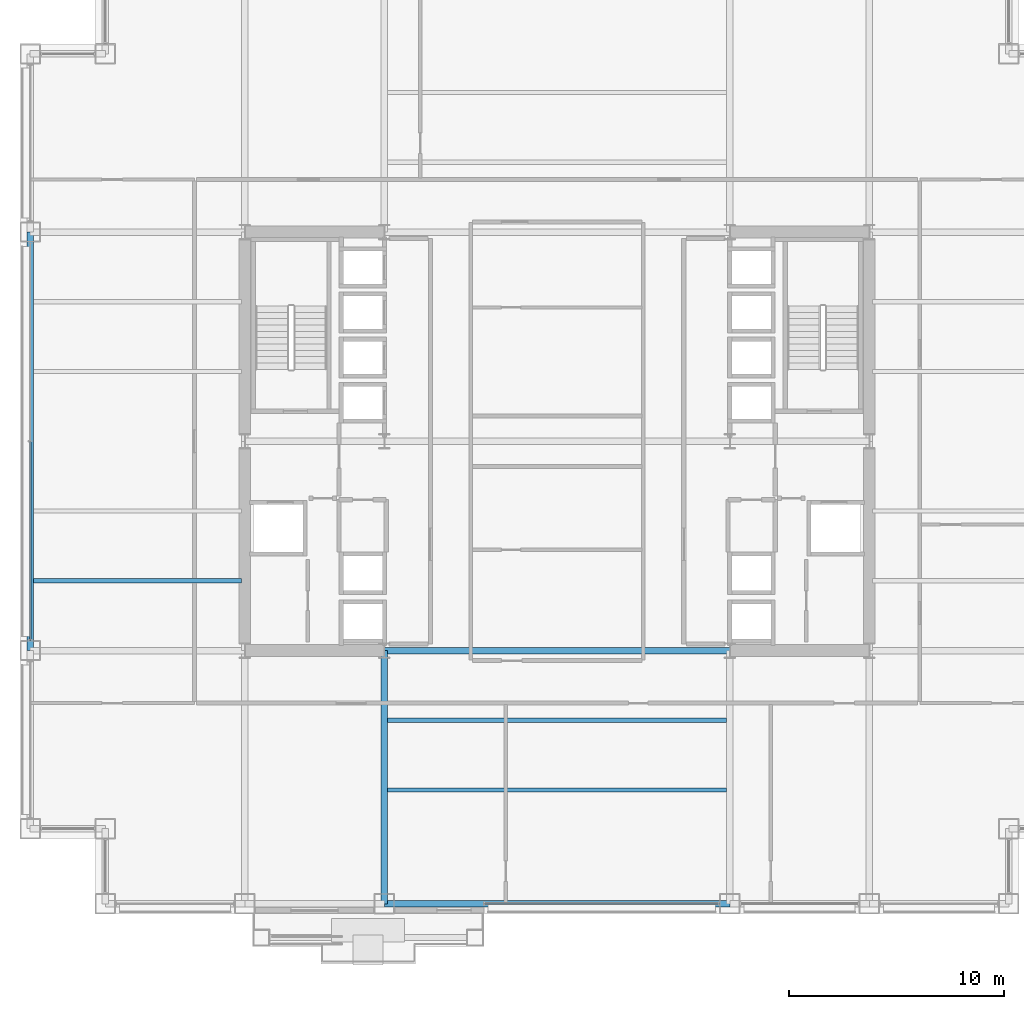
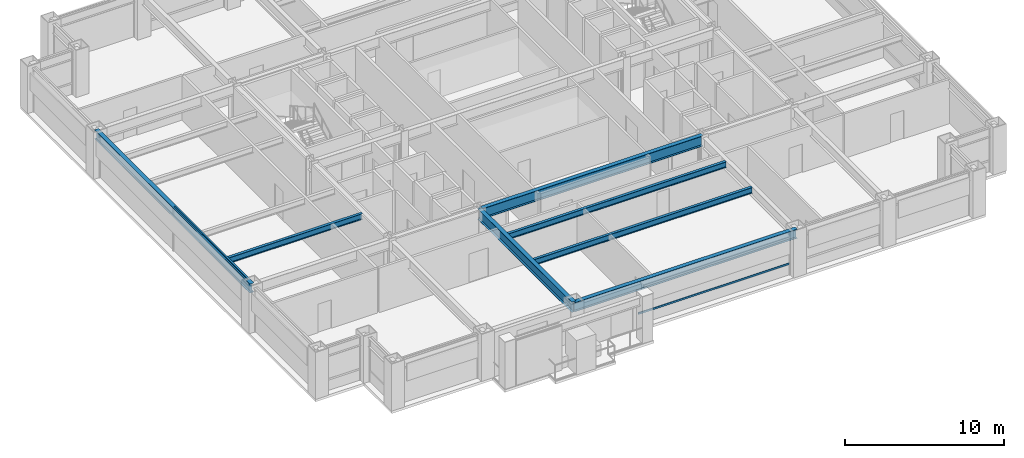
# One storey, part 7 of 31: 7 beams, 2 members, 2 elements without a shape of their own.
"""IFC4 building model written with IfcOpenShell, lengths in metres."""

import ifcopenshell
import ifcopenshell.guid

model = None  # the IFC model being written
_history = None  # IfcOwnerHistory: only IFC2X3 demands one
_inside = {}  # id of a spatial element -> (the spatial element, [elements in it])
_under = {}  # id of a project, library or spatial element -> (it, [spatial elements below it])
_declared = {}  # id of a project -> (the project, [libraries it declares])
_typed = {}  # id of a type object -> (the type object, [elements of that type])
_made_of = {}  # id of a material, layer set ... -> (it, [elements and type objects made of it])


def new_model(schema):
    """Start an empty IFC model of exactly this schema.

    Asked for "IFC4X3", IfcOpenShell would pick the latest addendum, in which some entities
    have other attributes; the version numbers below select the first issue.
    IFC2X3 requires an IfcOwnerHistory on every rooted entity: one is made here for all.
    """
    global model, _history
    if schema == "IFC4X3":
        model = ifcopenshell.file(schema_version=(4, 3, 0, 0))
    else:
        model = ifcopenshell.file(schema=schema)
    _inside.clear()
    _under.clear()
    _declared.clear()
    _typed.clear()
    _made_of.clear()
    _history = None
    if model.schema == "IFC2X3":
        org = make("IfcOrganization", Name="unknown")
        user = make(
            "IfcPersonAndOrganization",
            ThePerson=make("IfcPerson", FamilyName="unknown"),
            TheOrganization=org,
        )
        app = make(
            "IfcApplication",
            ApplicationDeveloper=org,
            Version="unknown",
            ApplicationFullName="unknown",
            ApplicationIdentifier="unknown",
        )
        _history = make(
            "IfcOwnerHistory",
            OwningUser=user,
            OwningApplication=app,
            ChangeAction="ADDED",
            CreationDate=0,
        )
    return model


def make(cls, **values):
    """One entity of the class cls with the attributes given. An attribute that is None is left unset."""
    return model.create_entity(
        cls, **{name: value for name, value in values.items() if value is not None}
    )


def rooted(cls, **values):
    """An entity with a GlobalId (a new one), such as an element, a storey or a relation."""
    return make(cls, GlobalId=ifcopenshell.guid.new(), OwnerHistory=_history, **values)


def si_unit(unit_type, name, prefix=None):
    """IfcSIUnit, for example si_unit("LENGTHUNIT", "METRE", prefix="MILLI")."""
    return make("IfcSIUnit", UnitType=unit_type, Prefix=prefix, Name=name)


def assignment(units):
    """IfcUnitAssignment: the units of a project."""
    return None if units is None else make("IfcUnitAssignment", Units=units)


def point(xyz):
    """IfcCartesianPoint."""
    return None if xyz is None else make("IfcCartesianPoint", Coordinates=xyz)


def direction(xyz):
    """IfcDirection."""
    return None if xyz is None else make("IfcDirection", DirectionRatios=xyz)


def frame(location, z_axis=None, x_axis=None):
    """IfcAxis2Placement3D, a coordinate frame: its origin and axes. An axis left out is left unset."""
    return make(
        "IfcAxis2Placement3D",
        Location=point(location),
        Axis=direction(z_axis),
        RefDirection=direction(x_axis),
    )


def frame_2d(location, x_axis=None):
    """IfcAxis2Placement2D, a coordinate frame in the plane: its origin and x axis."""
    return make(
        "IfcAxis2Placement2D", Location=point(location), RefDirection=direction(x_axis)
    )


def origin():
    """The frame at (0, 0, 0) with its axes left unset."""
    return frame((0.0, 0.0, 0.0))


def origin_2d():
    """The frame at (0, 0) in the plane with its x axis left unset."""
    return frame_2d((0.0, 0.0))


def place(relative_to, where):
    """IfcLocalPlacement: puts the frame where relative to a parent placement (None: the world)."""
    return make(
        "IfcLocalPlacement", PlacementRelTo=relative_to, RelativePlacement=where
    )


def context(
    kind, dimensions, precision=None, world=None, true_north=None, identifier=None
):
    """IfcGeometricRepresentationContext, for example the 3D "Model" context."""
    return make(
        "IfcGeometricRepresentationContext",
        ContextIdentifier=identifier,
        ContextType=kind,
        CoordinateSpaceDimension=dimensions,
        Precision=precision,
        WorldCoordinateSystem=world,
        TrueNorth=true_north,
    )


def subcontext(parent, identifier, kind, view, scale=None):
    """IfcGeometricRepresentationSubContext, for example "Body" below "Model"."""
    return make(
        "IfcGeometricRepresentationSubContext",
        ContextIdentifier=identifier,
        ContextType=kind,
        ParentContext=parent,
        TargetScale=scale,
        TargetView=view,
    )


def project(units=None, contexts=None):
    """IfcProject with its units and contexts."""
    return rooted(
        "IfcProject",
        Name="project",
        RepresentationContexts=contexts,
        UnitsInContext=assignment(units),
    )


def spatial(cls, under=None, at=None, **own):
    """A site, building, storey or space (cls), placed at a placement, below another one or the project."""
    s = rooted(cls, ObjectPlacement=at, **own)
    if under is not None:
        _under.setdefault(under.id(), (under, []))[1].append(s)
    return s


def profile(cls, at=None, kind="AREA", **sizes):
    """A parametric profile (cls). Its sizes go by their IFC names, for example OverallWidth=200.0."""
    return make(cls, ProfileType=kind, Position=at, **sizes)


def hollow_rectangle(**sizes):
    """IfcRectangleHollowProfileDef."""
    return profile("IfcRectangleHollowProfileDef", **sizes)


def i_section(**sizes):
    """IfcIShapeProfileDef."""
    return profile("IfcIShapeProfileDef", **sizes)


def extrude(swept, where, along, depth):
    """IfcExtrudedAreaSolid: the profile swept, set in the frame where, extruded along a direction by depth."""
    return make(
        "IfcExtrudedAreaSolid",
        SweptArea=swept,
        Position=where,
        ExtrudedDirection=direction(along),
        Depth=depth,
    )


def shape(context_of_items, identifier, shape_type, items):
    """IfcShapeRepresentation: the items that make up one representation, for example the "Body"."""
    return make(
        "IfcShapeRepresentation",
        ContextOfItems=context_of_items,
        RepresentationIdentifier=identifier,
        RepresentationType=shape_type,
        Items=items,
    )


def material(Name=None, Category=None):
    """IfcMaterial."""
    return make("IfcMaterial", Name=Name, Category=Category)


def layer(
    of_material, thickness, ventilated=None, Name=None, Category=None, Priority=None
):
    """IfcMaterialLayer: one layer of a wall or slab, of a material (None: an air gap)."""
    return make(
        "IfcMaterialLayer",
        Material=of_material,
        LayerThickness=thickness,
        IsVentilated=ventilated,
        Name=Name,
        Category=Category,
        Priority=Priority,
    )


def layer_set(layers, Name=None):
    """IfcMaterialLayerSet."""
    return make("IfcMaterialLayerSet", MaterialLayers=layers, LayerSetName=Name)


def material_profile(
    of_material, cross_section, Name=None, Category=None, Priority=None
):
    """IfcMaterialProfile: a cross section and its material."""
    return make(
        "IfcMaterialProfile",
        Name=Name,
        Material=of_material,
        Profile=cross_section,
        Priority=Priority,
        Category=Category,
    )


def profile_set(profiles, Name=None, composite=None):
    """IfcMaterialProfileSet."""
    return make(
        "IfcMaterialProfileSet",
        Name=Name,
        MaterialProfiles=profiles,
        CompositeProfile=composite,
    )


def made_of(thing, what):
    """Note that an element or type object is made of a material, layer set ...; save() writes the relation."""
    if what is not None:
        _made_of.setdefault(what.id(), (what, []))[1].append(thing)
    return thing


def type_object(cls, material=None, **own):
    """A type object (cls), such as IfcWallType, which elements share."""
    return made_of(rooted(cls, **own), material)


def element(
    cls,
    number,
    at=None,
    inside=None,
    cuts=None,
    type_object=None,
    material=None,
    context=None,
    identifier="Body",
    shape_type=None,
    held_by="IfcProductDefinitionShape",
    body=None,
    shapes=None,
    **own,
):
    """One element of the class cls, such as IfcWall. Its Tag is "e" and its number.

    at: its placement. inside: the storey or other place that contains it. cuts: it is an
    opening in that element (IfcRelVoidsElement). A single representation is given by context,
    identifier, shape_type and body (its items); several are given by shapes. held_by: the class
    of the entity that holds the representations. save() writes the other relations.
    """
    e = rooted(cls, Tag="e%d" % number, ObjectPlacement=at, **own)
    if body is not None:
        shapes = [shape(context, identifier, shape_type, body)]
    if shapes is not None:
        e.Representation = make(held_by, Representations=shapes)
    if inside is not None:
        _inside.setdefault(inside.id(), (inside, []))[1].append(e)
    if cuts is not None:
        rooted(
            "IfcRelVoidsElement", RelatingBuildingElement=cuts, RelatedOpeningElement=e
        )
    if type_object is not None:
        _typed.setdefault(type_object.id(), (type_object, []))[1].append(e)
    return made_of(e, material)


def aggregate(whole, parts):
    """IfcRelAggregates: a whole, such as a stair, and the parts it consists of."""
    return rooted("IfcRelAggregates", RelatingObject=whole, RelatedObjects=parts)


def save(model, path):
    """Write the relations noted so far, then the file.

    IfcRelAggregates (storeys below a building ...), IfcRelContainedInSpatialStructure (elements
    in a storey), IfcRelDefinesByType, IfcRelAssociatesMaterial and IfcRelDeclares: one each for
    every whole, place, type object, material and project.
    """
    for whole, parts in _under.values():
        aggregate(whole, parts)
    for where, things in _inside.values():
        rooted(
            "IfcRelContainedInSpatialStructure",
            RelatedElements=things,
            RelatingStructure=where,
        )
    for kind, things in _typed.values():
        rooted("IfcRelDefinesByType", RelatedObjects=things, RelatingType=kind)
    for what, things in _made_of.values():
        rooted("IfcRelAssociatesMaterial", RelatedObjects=things, RelatingMaterial=what)
    for by, libraries in _declared.values():
        rooted("IfcRelDeclares", RelatingContext=by, RelatedDefinitions=libraries)
    model.write(path)


model = new_model("IFC4")

# Units and contexts
model_context = context("Model", 3, precision=1e-05, world=origin(), true_north=direction((0.0, 1.0)))
body_context = subcontext(model_context, "Body", "Model", "MODEL_VIEW")
ifc_project = project(units=[si_unit("LENGTHUNIT", "METRE"), si_unit("AREAUNIT", "SQUARE_METRE"), si_unit("VOLUMEUNIT", "CUBIC_METRE"), si_unit("PLANEANGLEUNIT", "RADIAN"), si_unit("MASSUNIT", "GRAM", prefix="KILO")], contexts=[model_context])

# Site, building, storey
site_placement = place(None, origin())
site = spatial("IfcSite", under=ifc_project, at=site_placement, CompositionType="ELEMENT")
building_placement = place(site_placement, origin())
building = spatial("IfcBuilding", under=site, at=building_placement, Name="Brelmoor Portico Tower", CompositionType="ELEMENT")
storey_placement = place(building_placement, frame((0.0, 0.0, 27.60009765625)))
storey = spatial("IfcBuildingStorey", under=building, at=storey_placement, Name="L06", CompositionType="ELEMENT", Elevation=27.60009765625)

# Beams
ifc_material_1 = material(Name="Steel Q355B", Category="steel")
ifc_material_profile_1 = material_profile(ifc_material_1, i_section(OverallWidth=0.199951171875, OverallDepth=0.449951171875, WebThickness=0.009033203125, FlangeThickness=0.013916015625, at=origin_2d()), Name="HN 450x200x9x14")
ifc_profile_set_1 = profile_set([ifc_material_profile_1], Name="Steel Q355B")
beam_type_1 = type_object("IfcBeamType", Name="BM-JS-450", PredefinedType="JOIST", material=ifc_profile_set_1)
for number, where, z_axis, x_axis, name in (
    (1, (-7.89990234375, -16.25, 3.1748046875), (1.0, 0.0, 0.0), (0.0, 1.0, 0.0), "L06 Secondary Composite Joist JS-C01"),
    (2, (-7.89990234375, -13.0, 3.1748046875), (1.0, 0.0, 0.0), (0.0, 1.0, 0.0), "L06 Secondary Composite Joist JS-C02"),
):
    element("IfcBeam", number, at=place(storey_placement, frame(where, z_axis=z_axis, x_axis=x_axis)), inside=storey, type_object=beam_type_1, Name=name, PredefinedType="JOIST", context=body_context, shape_type="SweptSolid", body=[
        extrude(i_section(OverallWidth=0.199951171875, OverallDepth=0.449951171875, WebThickness=0.009033203125, FlangeThickness=0.013916015625, at=origin_2d()), origin(), (0.0, 0.0, 1.0), 15.7998046875),
    ])
beam_1_placement = place(storey_placement, frame((-24.39990234375, -6.5, 3.1748046875), z_axis=(1.0, 0.0, 0.0), x_axis=(0.0, 1.0, 0.0)))
element("IfcBeam", 3, at=beam_1_placement, inside=storey, type_object=beam_type_1, Name="L06 Secondary Wing Joist JS-W05", PredefinedType="JOIST", context=body_context, shape_type="SweptSolid", body=[
    extrude(i_section(OverallWidth=0.199951171875, OverallDepth=0.449951171875, WebThickness=0.009033203125, FlangeThickness=0.013916015625, at=origin_2d()), origin(), (0.0, 0.0, 1.0), 9.699951171875),
])
ifc_material_profile_2 = material_profile(ifc_material_1, i_section(OverallWidth=0.300048828125, OverallDepth=0.800048828125, WebThickness=0.013916015625, FlangeThickness=0.02587890625, at=origin_2d()), Name="HN 800x300x14x26")
ifc_profile_set_2 = profile_set([ifc_material_profile_2], Name="Steel Q355B")
beam_type_2 = type_object("IfcBeamType", Name="BM-PG-800", PredefinedType="BEAM", material=ifc_profile_set_2)
beam_2_placement = place(storey_placement, frame((-8.050048828125, -21.550048828125, 3.0), z_axis=(0.0, 1.0, 0.0), x_axis=(-1.0, 0.0, 0.0)))
element("IfcBeam", 4, at=beam_2_placement, inside=storey, type_object=beam_type_2, Name="L06 Primary Floor Girder PG-07", PredefinedType="BEAM", context=body_context, shape_type="SweptSolid", body=[
    extrude(i_section(OverallWidth=0.300048828125, OverallDepth=0.800048828125, WebThickness=0.013916015625, FlangeThickness=0.02587890625, at=origin_2d()), origin(), (0.0, 0.0, 1.0), 11.800048828125),
])
beam_3_placement = place(storey_placement, frame((-8.050048828125, -9.75, 3.0), z_axis=(1.0, 0.0, 0.0), x_axis=(0.0, 1.0, 0.0)))
element("IfcBeam", 5, at=beam_3_placement, inside=storey, type_object=beam_type_2, Name="L06 Primary Floor Girder PG-21", PredefinedType="BEAM", context=body_context, shape_type="SweptSolid", body=[
    extrude(i_section(OverallWidth=0.300048828125, OverallDepth=0.800048828125, WebThickness=0.013916015625, FlangeThickness=0.02587890625, at=origin_2d()), origin(), (0.0, 0.0, 1.0), 16.10009765625),
])
ifc_material_profile_3 = material_profile(ifc_material_1, i_section(OverallWidth=0.300048828125, OverallDepth=0.699951171875, WebThickness=0.012939453125, FlangeThickness=0.02392578125, at=origin_2d()), Name="HN 700x300x13x24")
ifc_profile_set_3 = profile_set([ifc_material_profile_3], Name="Steel Q355B")
beam_type_3 = type_object("IfcBeamType", Name="BM-SP-700", PredefinedType="SPANDREL", material=ifc_profile_set_3)
beam_4_placement = place(storey_placement, frame((-8.050048828125, -21.550048828125, 3.0498046875), z_axis=(1.0, 0.0, 0.0), x_axis=(0.0, 1.0, 0.0)))
element("IfcBeam", 6, at=beam_4_placement, inside=storey, type_object=beam_type_3, Name="L06 Perimeter Spandrel Beam SP-03", PredefinedType="SPANDREL", context=body_context, shape_type="SweptSolid", body=[
    extrude(i_section(OverallWidth=0.300048828125, OverallDepth=0.699951171875, WebThickness=0.012939453125, FlangeThickness=0.02392578125, at=origin_2d()), origin(), (0.0, 0.0, 1.0), 16.10009765625),
])
beam_5_placement = place(storey_placement, frame((-24.550048828125, -9.75, 3.0498046875), z_axis=(0.0, 1.0, 0.0), x_axis=(-1.0, 0.0, 0.0)))
element("IfcBeam", 7, at=beam_5_placement, inside=storey, type_object=beam_type_3, Name="L06 Perimeter Spandrel Beam SP-16", PredefinedType="SPANDREL", context=body_context, shape_type="SweptSolid", body=[
    extrude(i_section(OverallWidth=0.300048828125, OverallDepth=0.699951171875, WebThickness=0.012939453125, FlangeThickness=0.02392578125, at=origin_2d()), origin(), (0.0, 0.0, 1.0), 19.5),
])

# Curtain wall, member
ifc_material_2 = material(Name="Anodised Aluminium Alloy 6063-T6", Category="aluminium")
ifc_layer_1 = layer(ifc_material_2, 0.179931640625)
ifc_layer_set_1 = layer_set([ifc_layer_1], Name="Anodised Aluminium Alloy 6063-T6")
curtain_wall_type_1 = type_object("IfcCurtainWallType", Name="CW-TOWER-Z1", PredefinedType="NOTDEFINED", material=ifc_layer_set_1)
curtain_wall_1_placement = place(storey_placement, origin())
curtain_wall_1 = element("IfcCurtainWall", 8, at=curtain_wall_1_placement, inside=storey, type_object=curtain_wall_type_1, Name="L06 Curtain Wall CW-L06-1R-1", PredefinedType="NOTDEFINED")
ifc_material_profile_4 = material_profile(ifc_material_2, hollow_rectangle(XDim=0.06494140625, YDim=0.139892578125, WallThickness=0.00390625, at=origin_2d()), Name="ALU TRANSOM 65x140")
ifc_profile_set_4 = profile_set([ifc_material_profile_4], Name="Anodised Aluminium Alloy 6063-T6")
member_type = type_object("IfcMemberType", Name="MB-CW-TRAN-140", PredefinedType="USERDEFINED", material=ifc_profile_set_4)
member_1_placement = place(storey_placement, frame((-3.39990234375, -21.550048828125, 0.849853515625), z_axis=(1.0, 0.0, 0.0), x_axis=(0.0, 1.0, 0.0)))
member_1 = element("IfcMember", 9, at=member_1_placement, type_object=member_type, Name="CW-L06-1R-1 Transom 1-00", ObjectType="TRANSOM", PredefinedType="USERDEFINED", context=body_context, shape_type="SweptSolid", body=[
    extrude(hollow_rectangle(XDim=0.06494140625, YDim=0.139892578125, WallThickness=0.00390625, at=origin_2d()), origin(), (0.0, 0.0, 1.0), 10.96484375),
])
aggregate(curtain_wall_1, [member_1])

ifc_layer_2 = layer(ifc_material_2, 0.179931640625)
ifc_layer_set_2 = layer_set([ifc_layer_2], Name="Anodised Aluminium Alloy 6063-T6")
curtain_wall_type_2 = type_object("IfcCurtainWallType", Name="CW-TOWER-Z1-XB", PredefinedType="NOTDEFINED", material=ifc_layer_set_2)
curtain_wall_2_placement = place(storey_placement, origin())
curtain_wall_2 = element("IfcCurtainWall", 10, at=curtain_wall_2_placement, inside=storey, type_object=curtain_wall_type_2, Name="L06 Curtain Wall CW-L06-03-2", PredefinedType="NOTDEFINED")
member_2_placement = place(storey_placement, frame((-24.550048828125, -9.264892578125, 3.329833984375), z_axis=(0.0, 1.0, 0.0), x_axis=(-1.0, 0.0, 0.0)))
member_2 = element("IfcMember", 11, at=member_2_placement, type_object=member_type, Name="CW-L06-03-2 Transom 1-00", ObjectType="TRANSOM", PredefinedType="USERDEFINED", context=body_context, shape_type="SweptSolid", body=[
    extrude(hollow_rectangle(XDim=0.06494140625, YDim=0.139892578125, WallThickness=0.00390625, at=origin_2d()), origin(), (0.0, 0.0, 1.0), 9.264892578125),
])
aggregate(curtain_wall_2, [member_2])

save(model, "model.ifc")
